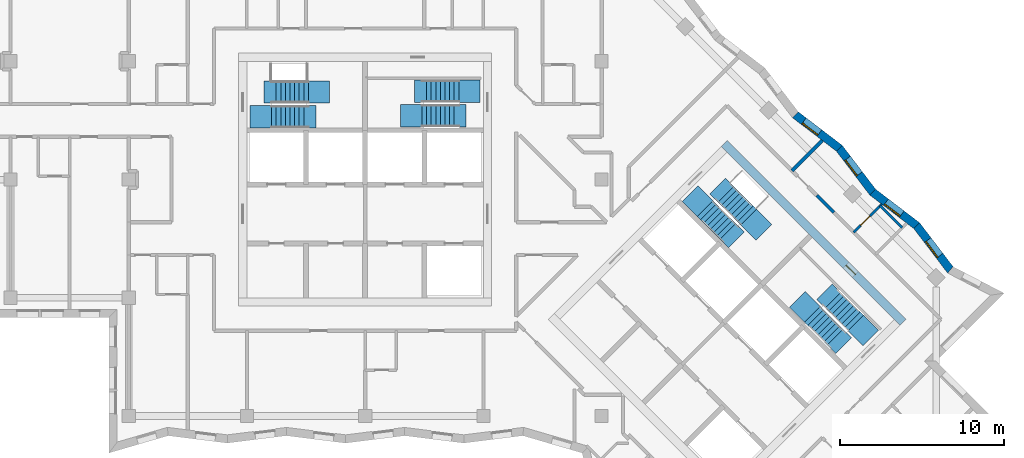
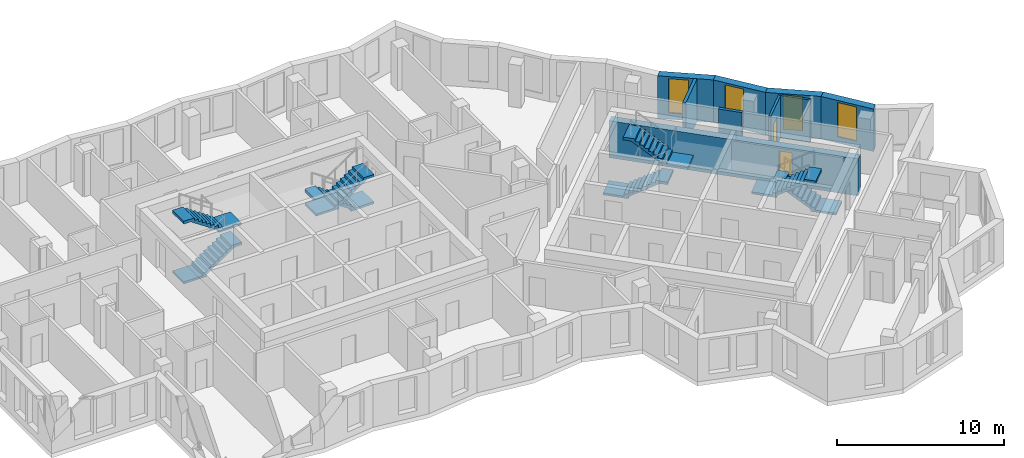
# One storey, part 9 of 12: 9 walls, 8 stair flights, 4 windows, 2 doors, 6 openings, 4 elements without a shape of their own.
"""IFC4 building model written with IfcOpenShell, lengths in metres."""

from ifc_helpers import new_model, si_unit, direction, frame, frame_2d, origin, place, context, subcontext, project, spatial, polyline, rectangle, outline, extrude, material, layer, layer_set, type_object, element, fill, aggregate, save


model = new_model("IFC4")

# Units and contexts
model_context = context("Model", 3, precision=1e-05, world=origin(), true_north=direction((0.0, 1.0)))
body_context = subcontext(model_context, "Body", "Model", "MODEL_VIEW")
ifc_project = project(units=[si_unit("LENGTHUNIT", "METRE"), si_unit("AREAUNIT", "SQUARE_METRE"), si_unit("VOLUMEUNIT", "CUBIC_METRE"), si_unit("PLANEANGLEUNIT", "RADIAN"), si_unit("MASSUNIT", "GRAM", prefix="KILO")], contexts=[model_context])

# Site, building, storey
site_placement = place(None, origin())
site = spatial("IfcSite", under=ifc_project, at=site_placement, CompositionType="ELEMENT")
building_placement = place(site_placement, origin())
building = spatial("IfcBuilding", under=site, at=building_placement, Name="Windrow Commons", CompositionType="ELEMENT")
storey_placement = place(building_placement, frame((0.0, 0.0, 206.6)))
storey = spatial("IfcBuildingStorey", under=building, at=storey_placement, Name="L56", CompositionType="ELEMENT", Elevation=206.6)

# Wall, opening, window
ifc_material_1 = material(Name="Brick masonry, red clay brick", Category="masonry")
ifc_layer_1 = layer(ifc_material_1, 0.5)
ifc_layer_set_1 = layer_set([ifc_layer_1], Name="Brick facade wall 500")
wall_type_1 = type_object("IfcWallType", Name="Brick facade wall 500", PredefinedType="SOLIDWALL", material=ifc_layer_set_1)
wall_1_placement = place(storey_placement, frame((100.4368, 52.0993, 0.0), z_axis=(0.0, 0.0, 1.0), x_axis=(-0.6059097208, 0.7955334124, 0.0)))
wall_1 = element("IfcWall", 1, at=wall_1_placement, inside=storey, type_object=wall_type_1, Name="Brick facade wall L56 8", PredefinedType="SOLIDWALL", context=body_context, shape_type="SweptSolid", body=[
    extrude(outline(polyline([(0.0559, -0.25), (3.4195, -0.25), (3.3519, 0.25), (-0.0559, 0.25), (0.0559, -0.25)])), origin(), (0.0, 0.0, 1.0), 3.1),
])
opening_1_placement = place(wall_1_placement, frame((1.0759, 0.0, 0.45)))
opening_1 = element("IfcOpeningElement", 2, at=opening_1_placement, cuts=wall_1, Name="Opening W7E", PredefinedType="OPENING", context=body_context, shape_type="SweptSolid", body=[
    extrude(rectangle(XDim=1.2, YDim=2.5, at=frame_2d((0.6, 1.25))), frame((0.0, 0.26, 0.0), z_axis=(0.0, -1.0, 0.0), x_axis=(1.0, 0.0, 0.0)), (0.0, 0.0, 1.0), 0.52),
])
ifc_material_2 = material(Name="Clear float glass in anodised aluminium frame", Category="aluminium")
window_type = type_object("IfcWindowType", Name="Window W7 notch 1200x2500", PartitioningType="SINGLE_PANEL", PredefinedType="WINDOW", material=ifc_material_2)
window_1_placement = place(opening_1_placement, origin())
window_1 = element("IfcWindow", 3, at=window_1_placement, inside=storey, type_object=window_type, Name="Window L56 8.1", OverallHeight=2.5, OverallWidth=1.2, PartitioningType="SINGLE_PANEL", PredefinedType="WINDOW", context=body_context, shape_type="SweptSolid", body=[
    extrude(rectangle(XDim=1.2, YDim=2.5, at=frame_2d((0.6, 1.25))), frame((0.0, 0.18, 0.0), z_axis=(0.0, -1.0, 0.0), x_axis=(1.0, 0.0, 0.0)), (0.0, 0.0, 1.0), 0.06),
])
fill(opening_1, window_1)

wall_2_placement = place(storey_placement, frame((98.3854, 54.7927, 0.0), z_axis=(0.0, 0.0, 1.0), x_axis=(-0.7955183856, 0.6059294498, 0.0)))
wall_2 = element("IfcWall", 4, at=wall_2_placement, inside=storey, type_object=wall_type_1, Name="Brick facade wall L56 9", PredefinedType="SOLIDWALL", context=body_context, shape_type="SweptSolid", body=[
    extrude(outline(polyline([(-0.0338, -0.25), (3.3298, -0.25), (3.3974, 0.25), (0.0338, 0.25), (-0.0338, -0.25)])), origin(), (0.0, 0.0, 1.0), 3.1),
])
opening_2_placement = place(wall_2_placement, frame((1.151, 0.0, 0.45)))
opening_2 = element("IfcOpeningElement", 5, at=opening_2_placement, cuts=wall_2, Name="Opening W7E", PredefinedType="OPENING", context=body_context, shape_type="SweptSolid", body=[
    extrude(rectangle(XDim=1.2, YDim=2.5, at=frame_2d((0.6, 1.25))), frame((0.0, 0.26, 0.0), z_axis=(0.0, -1.0, 0.0), x_axis=(1.0, 0.0, 0.0)), (0.0, 0.0, 1.0), 0.52),
])
window_2_placement = place(opening_2_placement, origin())
window_2 = element("IfcWindow", 6, at=window_2_placement, inside=storey, type_object=window_type, Name="Window L56 9.1", OverallHeight=2.5, OverallWidth=1.2, PartitioningType="SINGLE_PANEL", PredefinedType="WINDOW", context=body_context, shape_type="SweptSolid", body=[
    extrude(rectangle(XDim=1.2, YDim=2.5, at=frame_2d((0.6, 1.25))), frame((0.0, 0.18, 0.0), z_axis=(0.0, -1.0, 0.0), x_axis=(1.0, 0.0, 0.0)), (0.0, 0.0, 1.0), 0.06),
])
fill(opening_2, window_2)

wall_3_placement = place(storey_placement, frame((95.7096, 56.8308, 0.0), z_axis=(0.0, 0.0, 1.0), x_axis=(-0.6059294498, 0.7955183856, 0.0)))
wall_3 = element("IfcWall", 7, at=wall_3_placement, inside=storey, type_object=wall_type_1, Name="Brick facade wall L56 10", PredefinedType="SOLIDWALL", context=body_context, shape_type="SweptSolid", body=[
    extrude(outline(polyline([(0.0338, -0.25), (3.3974, -0.25), (3.3298, 0.25), (-0.0338, 0.25), (0.0338, -0.25)])), origin(), (0.0, 0.0, 1.0), 3.1),
])
opening_3_placement = place(wall_3_placement, frame((1.3687, 0.0, 0.45)))
opening_3 = element("IfcOpeningElement", 8, at=opening_3_placement, cuts=wall_3, Name="Opening W7E", PredefinedType="OPENING", context=body_context, shape_type="SweptSolid", body=[
    extrude(rectangle(XDim=1.2, YDim=2.5, at=frame_2d((0.6, 1.25))), frame((0.0, 0.26, 0.0), z_axis=(0.0, -1.0, 0.0), x_axis=(1.0, 0.0, 0.0)), (0.0, 0.0, 1.0), 0.52),
])
window_3_placement = place(opening_3_placement, origin())
window_3 = element("IfcWindow", 9, at=window_3_placement, inside=storey, type_object=window_type, Name="Window L56 10.1", OverallHeight=2.5, OverallWidth=1.2, PartitioningType="SINGLE_PANEL", PredefinedType="WINDOW", context=body_context, shape_type="SweptSolid", body=[
    extrude(rectangle(XDim=1.2, YDim=2.5, at=frame_2d((0.6, 1.25))), frame((0.0, 0.18, 0.0), z_axis=(0.0, -1.0, 0.0), x_axis=(1.0, 0.0, 0.0)), (0.0, 0.0, 1.0), 0.06),
])
fill(opening_3, window_3)

wall_4_placement = place(storey_placement, frame((93.6715, 59.5066, 0.0), z_axis=(0.0, 0.0, 1.0), x_axis=(-0.7955293007, 0.6059151193, 0.0)))
wall_4 = element("IfcWall", 10, at=wall_4_placement, inside=storey, type_object=wall_type_1, Name="Brick facade wall L56 11", PredefinedType="SOLIDWALL", context=body_context, shape_type="SweptSolid", body=[
    extrude(outline(polyline([(-0.0338, -0.25), (3.3298, -0.25), (3.3974, 0.25), (0.0338, 0.25), (-0.0338, -0.25)])), origin(), (0.0, 0.0, 1.0), 3.1),
])
opening_4_placement = place(wall_4_placement, frame((1.5202, 0.0, 0.45)))
opening_4 = element("IfcOpeningElement", 11, at=opening_4_placement, cuts=wall_4, Name="Opening W7E", PredefinedType="OPENING", context=body_context, shape_type="SweptSolid", body=[
    extrude(rectangle(XDim=1.2, YDim=2.5, at=frame_2d((0.6, 1.25))), frame((0.0, 0.26, 0.0), z_axis=(0.0, -1.0, 0.0), x_axis=(1.0, 0.0, 0.0)), (0.0, 0.0, 1.0), 0.52),
])
window_4_placement = place(opening_4_placement, origin())
window_4 = element("IfcWindow", 12, at=window_4_placement, inside=storey, type_object=window_type, Name="Window L56 11.1", OverallHeight=2.5, OverallWidth=1.2, PartitioningType="SINGLE_PANEL", PredefinedType="WINDOW", context=body_context, shape_type="SweptSolid", body=[
    extrude(rectangle(XDim=1.2, YDim=2.5, at=frame_2d((0.6, 1.25))), frame((0.0, 0.18, 0.0), z_axis=(0.0, -1.0, 0.0), x_axis=(1.0, 0.0, 0.0)), (0.0, 0.0, 1.0), 0.06),
])
fill(opening_4, window_4)

# Wall
ifc_material_3 = material(Name="Blockwork partition", Category="masonry")
ifc_layer_2 = layer(ifc_material_3, 0.2)
ifc_layer_set_2 = layer_set([ifc_layer_2], Name="IW-CORRIDOR-200")
wall_type_2 = type_object("IfcWallType", Name="IW-CORRIDOR-200", PredefinedType="PARTITIONING", material=ifc_layer_set_2)
wall_5_placement = place(storey_placement, frame((92.3106, 56.6266, 0.0), z_axis=(0.0, 0.0, 1.0), x_axis=(0.7077922938, -0.7064206033, 0.0)))
element("IfcWall", 13, at=wall_5_placement, inside=storey, type_object=wall_type_2, Name="W-L56-W122", PredefinedType="PARTITIONING", context=body_context, shape_type="SweptSolid", body=[
    extrude(rectangle(XDim=1.4581, YDim=0.2, at=frame_2d((0.729, 0.0))), origin(), (0.0, 0.0, 1.0), 3.1),
])

# Wall, opening, door
ifc_material_4 = material(Name="Blockwork partition", Category="masonry")
ifc_layer_3 = layer(ifc_material_4, 0.15)
ifc_layer_set_3 = layer_set([ifc_layer_3], Name="IW-ENSUITE-150")
wall_type_3 = type_object("IfcWallType", Name="IW-ENSUITE-150", PredefinedType="PARTITIONING", material=ifc_layer_set_3)
wall_6_placement = place(storey_placement, frame((94.5438, 54.3942, 0.0), z_axis=(0.0, 0.0, 1.0), x_axis=(0.7070860901, 0.7071274716, 0.0)))
wall_6 = element("IfcWall", 14, at=wall_6_placement, inside=storey, type_object=wall_type_3, Name="W-L56-W083", PredefinedType="PARTITIONING", context=body_context, shape_type="SweptSolid", body=[
    extrude(rectangle(XDim=2.4165, YDim=0.15, at=frame_2d((1.2083, 0.0))), origin(), (0.0, 0.0, 1.0), 3.1),
])
opening_5_placement = place(wall_6_placement, frame((0.5941, 0.0, 0.0)))
opening_5 = element("IfcOpeningElement", 15, at=opening_5_placement, cuts=wall_6, Name="Opening D208N", PredefinedType="OPENING", context=body_context, shape_type="SweptSolid", body=[
    extrude(rectangle(XDim=0.8, YDim=2.1, at=frame_2d((0.4, 1.05))), frame((0.0, 0.085, 0.0), z_axis=(0.0, -1.0, 0.0), x_axis=(1.0, 0.0, 0.0)), (0.0, 0.0, 1.0), 0.17),
])
ifc_material_5 = material(Name="Timber door leaf", Category="wood")
door_type_1 = type_object("IfcDoorType", Name="DT-ENSUITE-800", OperationType="SINGLE_SWING_LEFT", PredefinedType="DOOR", material=ifc_material_5)
door_1_placement = place(opening_5_placement, origin())
door_1 = element("IfcDoor", 16, at=door_1_placement, inside=storey, type_object=door_type_1, Name="D-L56-D038", OperationType="SINGLE_SWING_RIGHT", OverallHeight=2.1, OverallWidth=0.8, PredefinedType="DOOR", context=body_context, shape_type="SweptSolid", body=[
    extrude(rectangle(XDim=0.8, YDim=2.1, at=frame_2d((0.4, 1.05))), frame((0.0, 0.025, 0.0), z_axis=(0.0, -1.0, 0.0), x_axis=(1.0, 0.0, 0.0)), (0.0, 0.0, 1.0), 0.05),
])
fill(opening_5, door_1)

# Walls
wall_7_placement = place(storey_placement, frame((96.1668, 56.0168, 0.0), z_axis=(0.0, 0.0, 1.0), x_axis=(0.7071067812, -0.7071067812, 0.0)))
element("IfcWall", 17, at=wall_7_placement, inside=storey, type_object=wall_type_3, Name="W-L56-W105", PredefinedType="PARTITIONING", context=body_context, shape_type="SweptSolid", body=[
    extrude(rectangle(XDim=1.9007, YDim=0.15, at=frame_2d((0.9504, 0.0))), origin(), (0.0, 0.0, 1.0), 3.1),
])
ifc_material_6 = material(Name="Blockwork partition", Category="masonry")
ifc_layer_4 = layer(ifc_material_6, 0.2)
ifc_layer_set_4 = layer_set([ifc_layer_4], Name="IW-PARTY-200")
wall_type_4 = type_object("IfcWallType", Name="IW-PARTY-200", PredefinedType="PARTITIONING", material=ifc_layer_set_4)
wall_8_placement = place(storey_placement, frame((90.7972, 58.1388, 0.0), z_axis=(0.0, 0.0, 1.0), x_axis=(0.7066456247, 0.7075676371, 0.0)))
element("IfcWall", 18, at=wall_8_placement, inside=storey, type_object=wall_type_4, Name="W-L56-W057", PredefinedType="PARTITIONING", context=body_context, shape_type="SweptSolid", body=[
    extrude(rectangle(XDim=2.603, YDim=0.2, at=frame_2d((1.3015, 0.0))), origin(), (0.0, 0.0, 1.0), 3.1),
])

# Wall, opening, door
ifc_material_7 = material(Name="Concrete C40/50", Category="concrete")
ifc_layer_5 = layer(ifc_material_7, 0.5)
ifc_layer_set_5 = layer_set([ifc_layer_5], Name="RC CORE WALL 500 C40/50")
wall_type_5 = type_object("IfcWallType", Name="RC CORE WALL 500 C40/50", PredefinedType="SHEAR", material=ifc_layer_set_5)
wall_9_placement = place(storey_placement, frame((86.66, 59.8024, -0.3), z_axis=(0.0, 0.0, 1.0), x_axis=(0.7071067812, -0.7071067812, 0.0)))
wall_9 = element("IfcWall", 19, at=wall_9_placement, inside=storey, type_object=wall_type_5, Name="Core B wall outer-N", PredefinedType="SHEAR", context=body_context, shape_type="SweptSolid", body=[
    extrude(rectangle(XDim=15.3999, YDim=0.5, at=frame_2d((7.7, 0.0))), origin(), (0.0, 0.0, 1.0), 2.7),
])
opening_6_placement = place(wall_9_placement, frame((10.5, 0.0, 0.3)))
opening_6 = element("IfcOpeningElement", 20, at=opening_6_placement, cuts=wall_9, Name="Opening D9", PredefinedType="OPENING", context=body_context, shape_type="SweptSolid", body=[
    extrude(rectangle(XDim=0.8, YDim=2.1, at=frame_2d((0.4, 1.05))), frame((0.0, 0.26, 0.0), z_axis=(0.0, -1.0, 0.0), x_axis=(1.0, 0.0, 0.0)), (0.0, 0.0, 1.0), 0.52),
])
ifc_material_8 = material(Name="Steel fire door leaf", Category="steel")
door_type_2 = type_object("IfcDoorType", Name="Riser access door 800", OperationType="SINGLE_SWING_LEFT", PredefinedType="DOOR", material=ifc_material_8)
door_2_placement = place(opening_6_placement, origin())
door_2 = element("IfcDoor", 21, at=door_2_placement, inside=storey, type_object=door_type_2, Name="Riser access door", OperationType="SINGLE_SWING_RIGHT", OverallHeight=2.1, OverallWidth=0.8, PredefinedType="DOOR", context=body_context, shape_type="SweptSolid", body=[
    extrude(rectangle(XDim=0.8, YDim=2.1, at=frame_2d((0.4, 1.05))), frame((0.0, 0.025, 0.0), z_axis=(0.0, -1.0, 0.0), x_axis=(1.0, 0.0, 0.0)), (0.0, 0.0, 1.0), 0.05),
])
fill(opening_6, door_2)

# Stair, stair flights
ifc_material_9 = material(Name="Concrete C40/50", Category="concrete")
stair_type = type_object("IfcStairType", Name="Core stair", PredefinedType="HALF_TURN_STAIR", material=ifc_material_9)
placement = place(storey_placement, origin())
stair_1 = element("IfcStair", 22, at=placement, inside=storey, type_object=stair_type, Name="L56 Exit stair A1 core A", PredefinedType="HALF_TURN_STAIR")
ifc_material_10 = material(Name="Concrete C40/50", Category="concrete")
stair_flight_type = type_object("IfcStairFlightType", Name="Core stair flight", PredefinedType="STRAIGHT", material=ifc_material_10)
stair_flight_1_placement = place(storey_placement, frame((59.1, 61.425, 0.0), z_axis=(0.0, 0.0, 1.0), x_axis=(1.0, 0.0, 0.0)))
stair_flight_1 = element("IfcStairFlight", 23, at=stair_flight_1_placement, type_object=stair_flight_type, Name="ST-A1 flight 1", NumberOfRisers=9, NumberOfTreads=8, PredefinedType="STRAIGHT", RiserHeight=0.188888889, TreadLength=0.28, context=body_context, shape_type="SweptSolid", body=[
    extrude(outline(polyline([(-1.3, -0.15), (-1.3, 0.0), (0.0, 0.0), (0.0, 0.1889), (0.28, 0.1889), (0.28, 0.3778), (0.56, 0.3778), (0.56, 0.5667), (0.84, 0.5667), (0.84, 0.7556), (1.12, 0.7556), (1.12, 0.9444), (1.4, 0.9444), (1.4, 1.1333), (1.68, 1.1333), (1.68, 1.3222), (1.96, 1.3222), (1.96, 1.5111), (2.24, 1.5111), (2.69, 1.5111), (2.69, 1.3111), (2.24, 1.3111), (2.24, 1.3302), (0.2682, 0.0), (0.2682, -0.15), (-1.3, -0.15)])), frame((0.0, 0.675, 0.0), z_axis=(0.0, -1.0, 0.0), x_axis=(1.0, 0.0, 0.0)), (0.0, 0.0, 1.0), 1.35),
])
stair_flight_2_placement = place(storey_placement, frame((61.34, 62.925, 1.7), z_axis=(0.0, 0.0, 1.0), x_axis=(-1.0, 0.0, 0.0)))
stair_flight_2 = element("IfcStairFlight", 24, at=stair_flight_2_placement, type_object=stair_flight_type, Name="ST-A1 flight 2", NumberOfRisers=9, NumberOfTreads=8, PredefinedType="STRAIGHT", RiserHeight=0.188888889, TreadLength=0.28, context=body_context, shape_type="SweptSolid", body=[
    extrude(outline(polyline([(-1.3, -0.15), (-1.3, 0.0), (0.0, 0.0), (0.0, 0.1889), (0.28, 0.1889), (0.28, 0.3778), (0.56, 0.3778), (0.56, 0.5667), (0.84, 0.5667), (0.84, 0.7556), (1.12, 0.7556), (1.12, 0.9444), (1.4, 0.9444), (1.4, 1.1333), (1.68, 1.1333), (1.68, 1.3222), (1.96, 1.3222), (1.96, 1.5111), (2.24, 1.5111), (2.69, 1.5111), (2.69, 1.3111), (2.24, 1.3111), (2.24, 1.3302), (0.2682, 0.0), (0.2682, -0.15), (-1.3, -0.15)])), frame((0.0, 0.675, 0.0), z_axis=(0.0, -1.0, 0.0), x_axis=(1.0, 0.0, 0.0)), (0.0, 0.0, 1.0), 1.35),
])
aggregate(stair_1, [stair_flight_1, stair_flight_2])

stair_2 = element("IfcStair", 25, at=placement, inside=storey, type_object=stair_type, Name="L56 Exit stair A2 core A", PredefinedType="HALF_TURN_STAIR")
stair_flight_3_placement = place(storey_placement, frame((70.5, 62.98, 0.0), z_axis=(0.0, 0.0, 1.0), x_axis=(-1.0, 0.0, 0.0)))
stair_flight_3 = element("IfcStairFlight", 26, at=stair_flight_3_placement, type_object=stair_flight_type, Name="ST-A2 flight 1", NumberOfRisers=9, NumberOfTreads=8, PredefinedType="STRAIGHT", RiserHeight=0.188888889, TreadLength=0.28, context=body_context, shape_type="SweptSolid", body=[
    extrude(outline(polyline([(-1.3, -0.15), (-1.3, 0.0), (0.0, 0.0), (0.0, 0.1889), (0.28, 0.1889), (0.28, 0.3778), (0.56, 0.3778), (0.56, 0.5667), (0.84, 0.5667), (0.84, 0.7556), (1.12, 0.7556), (1.12, 0.9444), (1.4, 0.9444), (1.4, 1.1333), (1.68, 1.1333), (1.68, 1.3222), (1.96, 1.3222), (1.96, 1.5111), (2.24, 1.5111), (2.69, 1.5111), (2.69, 1.3111), (2.24, 1.3111), (2.24, 1.3302), (0.2682, 0.0), (0.2682, -0.15), (-1.3, -0.15)])), frame((0.0, 0.675, 0.0), z_axis=(0.0, -1.0, 0.0), x_axis=(1.0, 0.0, 0.0)), (0.0, 0.0, 1.0), 1.35),
])
stair_flight_4_placement = place(storey_placement, frame((68.26, 61.48, 1.7), z_axis=(0.0, 0.0, 1.0), x_axis=(1.0, 0.0, 0.0)))
stair_flight_4 = element("IfcStairFlight", 27, at=stair_flight_4_placement, type_object=stair_flight_type, Name="ST-A2 flight 2", NumberOfRisers=9, NumberOfTreads=8, PredefinedType="STRAIGHT", RiserHeight=0.188888889, TreadLength=0.28, context=body_context, shape_type="SweptSolid", body=[
    extrude(outline(polyline([(-1.3, -0.15), (-1.3, 0.0), (0.0, 0.0), (0.0, 0.1889), (0.28, 0.1889), (0.28, 0.3778), (0.56, 0.3778), (0.56, 0.5667), (0.84, 0.5667), (0.84, 0.7556), (1.12, 0.7556), (1.12, 0.9444), (1.4, 0.9444), (1.4, 1.1333), (1.68, 1.1333), (1.68, 1.3222), (1.96, 1.3222), (1.96, 1.5111), (2.24, 1.5111), (2.69, 1.5111), (2.69, 1.3111), (2.24, 1.3111), (2.24, 1.3302), (0.2682, 0.0), (0.2682, -0.15), (-1.3, -0.15)])), frame((0.0, 0.675, 0.0), z_axis=(0.0, -1.0, 0.0), x_axis=(1.0, 0.0, 0.0)), (0.0, 0.0, 1.0), 1.35),
])
aggregate(stair_2, [stair_flight_3, stair_flight_4])

stair_3 = element("IfcStair", 28, at=placement, inside=storey, type_object=stair_type, Name="L56 Exit stair B1 core B", PredefinedType="HALF_TURN_STAIR")
stair_flight_5_placement = place(storey_placement, frame((85.5109, 55.8249, 0.0), z_axis=(0.0, 0.0, 1.0), x_axis=(0.7071067812, -0.7071067812, 0.0)))
stair_flight_5 = element("IfcStairFlight", 29, at=stair_flight_5_placement, type_object=stair_flight_type, Name="ST-B1 flight 1", NumberOfRisers=9, NumberOfTreads=8, PredefinedType="STRAIGHT", RiserHeight=0.188888889, TreadLength=0.28, context=body_context, shape_type="SweptSolid", body=[
    extrude(outline(polyline([(-1.3, -0.15), (-1.3, 0.0), (0.0, 0.0), (0.0, 0.1889), (0.28, 0.1889), (0.28, 0.3778), (0.56, 0.3778), (0.56, 0.5667), (0.84, 0.5667), (0.84, 0.7556), (1.12, 0.7556), (1.12, 0.9444), (1.4, 0.9444), (1.4, 1.1333), (1.68, 1.1333), (1.68, 1.3222), (1.96, 1.3222), (1.96, 1.5111), (2.24, 1.5111), (2.69, 1.5111), (2.69, 1.3111), (2.24, 1.3111), (2.24, 1.3302), (0.2682, 0.0), (0.2682, -0.15), (-1.3, -0.15)])), frame((0.0, 0.675, 0.0), z_axis=(0.0, -1.0, 0.0), x_axis=(1.0, 0.0, 0.0)), (0.0, 0.0, 1.0), 1.35),
])
stair_flight_6_placement = place(storey_placement, frame((88.1555, 55.3017, 1.7), z_axis=(0.0, 0.0, 1.0), x_axis=(-0.7071067812, 0.7071067812, 0.0)))
stair_flight_6 = element("IfcStairFlight", 30, at=stair_flight_6_placement, type_object=stair_flight_type, Name="ST-B1 flight 2", NumberOfRisers=9, NumberOfTreads=8, PredefinedType="STRAIGHT", RiserHeight=0.188888889, TreadLength=0.28, context=body_context, shape_type="SweptSolid", body=[
    extrude(outline(polyline([(-1.3, -0.15), (-1.3, 0.0), (0.0, 0.0), (0.0, 0.1889), (0.28, 0.1889), (0.28, 0.3778), (0.56, 0.3778), (0.56, 0.5667), (0.84, 0.5667), (0.84, 0.7556), (1.12, 0.7556), (1.12, 0.9444), (1.4, 0.9444), (1.4, 1.1333), (1.68, 1.1333), (1.68, 1.3222), (1.96, 1.3222), (1.96, 1.5111), (2.24, 1.5111), (2.69, 1.5111), (2.69, 1.3111), (2.24, 1.3111), (2.24, 1.3302), (0.2682, 0.0), (0.2682, -0.15), (-1.3, -0.15)])), frame((0.0, 0.675, 0.0), z_axis=(0.0, -1.0, 0.0), x_axis=(1.0, 0.0, 0.0)), (0.0, 0.0, 1.0), 1.35),
])
aggregate(stair_3, [stair_flight_5, stair_flight_6])

stair_4 = element("IfcStair", 31, at=placement, inside=storey, type_object=stair_type, Name="L56 Exit stair B2 core B", PredefinedType="HALF_TURN_STAIR")
stair_flight_7_placement = place(storey_placement, frame((94.6715, 48.8635, 0.0), z_axis=(0.0, 0.0, 1.0), x_axis=(-0.7071067812, 0.7071067812, 0.0)))
stair_flight_7 = element("IfcStairFlight", 32, at=stair_flight_7_placement, type_object=stair_flight_type, Name="ST-B2 flight 1", NumberOfRisers=9, NumberOfTreads=8, PredefinedType="STRAIGHT", RiserHeight=0.188888889, TreadLength=0.28, context=body_context, shape_type="SweptSolid", body=[
    extrude(outline(polyline([(-1.3, -0.15), (-1.3, 0.0), (0.0, 0.0), (0.0, 0.1889), (0.28, 0.1889), (0.28, 0.3778), (0.56, 0.3778), (0.56, 0.5667), (0.84, 0.5667), (0.84, 0.7556), (1.12, 0.7556), (1.12, 0.9444), (1.4, 0.9444), (1.4, 1.1333), (1.68, 1.1333), (1.68, 1.3222), (1.96, 1.3222), (1.96, 1.5111), (2.24, 1.5111), (2.69, 1.5111), (2.69, 1.3111), (2.24, 1.3111), (2.24, 1.3302), (0.2682, 0.0), (0.2682, -0.15), (-1.3, -0.15)])), frame((0.0, 0.675, 0.0), z_axis=(0.0, -1.0, 0.0), x_axis=(1.0, 0.0, 0.0)), (0.0, 0.0, 1.0), 1.35),
])
stair_flight_8_placement = place(storey_placement, frame((92.0269, 49.3867, 1.7), z_axis=(0.0, 0.0, 1.0), x_axis=(0.7071067812, -0.7071067812, 0.0)))
stair_flight_8 = element("IfcStairFlight", 33, at=stair_flight_8_placement, type_object=stair_flight_type, Name="ST-B2 flight 2", NumberOfRisers=9, NumberOfTreads=8, PredefinedType="STRAIGHT", RiserHeight=0.188888889, TreadLength=0.28, context=body_context, shape_type="SweptSolid", body=[
    extrude(outline(polyline([(-1.3, -0.15), (-1.3, 0.0), (0.0, 0.0), (0.0, 0.1889), (0.28, 0.1889), (0.28, 0.3778), (0.56, 0.3778), (0.56, 0.5667), (0.84, 0.5667), (0.84, 0.7556), (1.12, 0.7556), (1.12, 0.9444), (1.4, 0.9444), (1.4, 1.1333), (1.68, 1.1333), (1.68, 1.3222), (1.96, 1.3222), (1.96, 1.5111), (2.24, 1.5111), (2.69, 1.5111), (2.69, 1.3111), (2.24, 1.3111), (2.24, 1.3302), (0.2682, 0.0), (0.2682, -0.15), (-1.3, -0.15)])), frame((0.0, 0.675, 0.0), z_axis=(0.0, -1.0, 0.0), x_axis=(1.0, 0.0, 0.0)), (0.0, 0.0, 1.0), 1.35),
])
aggregate(stair_4, [stair_flight_7, stair_flight_8])

save(model, "model.ifc")
